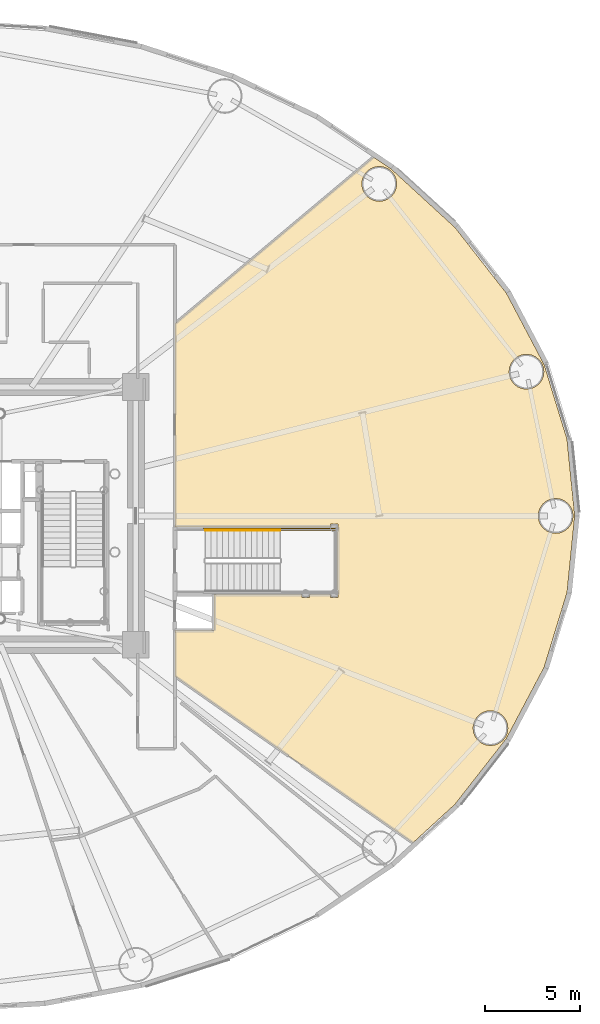
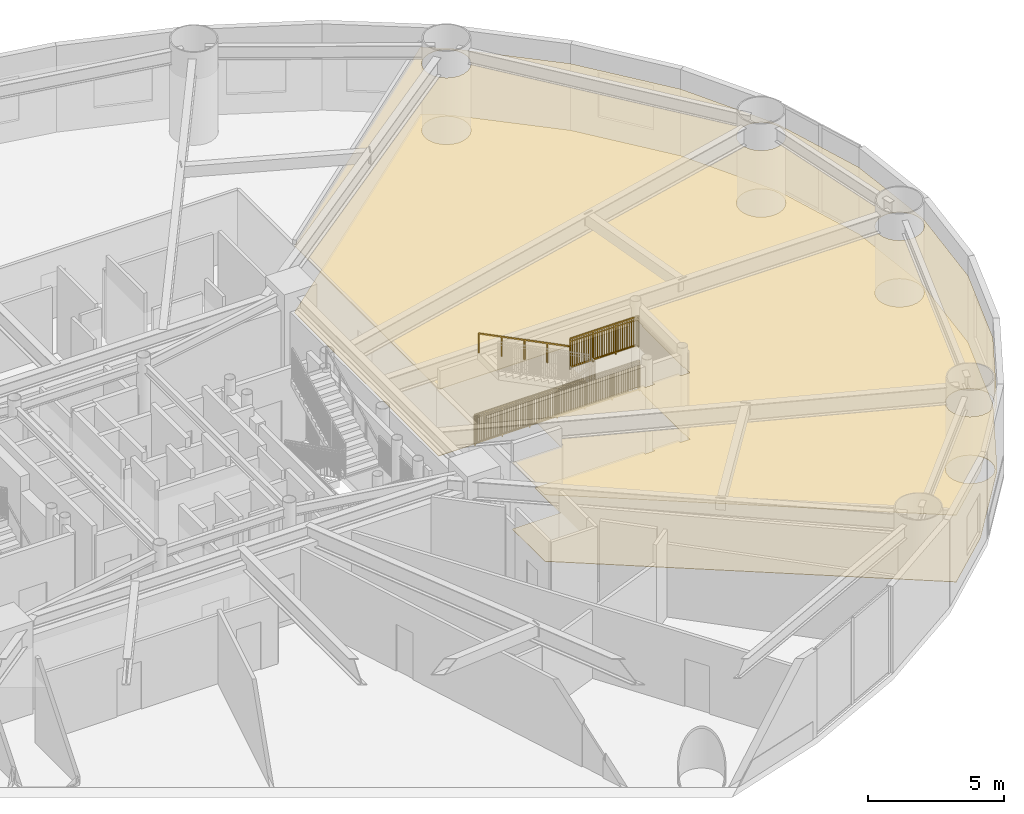
# One storey, part 30 of 31: 3 railings, 2 coverings.
"""IFC4 building model written with IfcOpenShell, lengths in metres."""

from ifc_helpers import new_model, si_unit, direction, frame, origin, origin_2d, place, context, subcontext, project, spatial, polyline, rectangle, outline, extrude, source, transform, mapped, material, layer, layer_set, type_object, element, save


model = new_model("IFC4")

# Units and contexts
model_context = context("Model", 3, precision=1e-05, world=origin(), true_north=direction((0.0, 1.0)))
body_context = subcontext(model_context, "Body", "Model", "MODEL_VIEW")
ifc_project = project(units=[si_unit("LENGTHUNIT", "METRE"), si_unit("AREAUNIT", "SQUARE_METRE"), si_unit("VOLUMEUNIT", "CUBIC_METRE"), si_unit("PLANEANGLEUNIT", "RADIAN"), si_unit("MASSUNIT", "GRAM", prefix="KILO")], contexts=[model_context])

# Site, building, storey
site_placement = place(None, origin())
site = spatial("IfcSite", under=ifc_project, at=site_placement, CompositionType="ELEMENT")
building_placement = place(site_placement, origin())
building = spatial("IfcBuilding", under=site, at=building_placement, Name="Linh Dai School and Residence Tower", CompositionType="ELEMENT")
storey_placement = place(building_placement, frame((0.0, 0.0, 6.0)))
storey = spatial("IfcBuildingStorey", under=building, at=storey_placement, Name="L01", CompositionType="ELEMENT", Elevation=6.0)

# Coverings
ifc_material_1 = material(Name="Mineral Fibre Acoustic Suspended Ceiling", Category="masonry")
ifc_layer_1 = layer(ifc_material_1, 0.02001953125)
ifc_layer_set_1 = layer_set([ifc_layer_1], Name="Mineral Fibre Acoustic Suspended Ceiling")
covering_type_1 = type_object("IfcCoveringType", Name="COV-CEIL-AC-20", PredefinedType="CEILING", material=ifc_layer_set_1)
covering_1_placement = place(storey_placement, frame((0.0, 0.0, 3.0)))
element("IfcCovering", 1, at=covering_1_placement, inside=storey, type_object=covering_type_1, Name="L01 Primary School Multi-Purpose Assembly Hall Suspended Ceiling", PredefinedType="CEILING", context=body_context, shape_type="SweptSolid", body=[
    extrude(outline(polyline([(62.676025390625, 11.8876953125), (60.470703125, 9.865478515625), (48.0, 18.597412109375), (48.0, 21.0), (50.050048828125, 21.0), (50.050048828125, 22.8798828125), (54.646728515625, 22.8798828125), (54.646728515625, 22.716796875), (55.05322265625, 22.716796875), (55.05322265625, 22.8798828125), (56.146728515625, 22.8798828125), (56.146728515625, 22.716796875), (56.55322265625, 22.716796875), (56.55322265625, 23.123291015625), (56.52001953125, 23.123291015625), (56.52001953125, 26.1767578125), (56.55322265625, 26.1767578125), (56.55322265625, 26.583251953125), (56.146728515625, 26.583251953125), (56.146728515625, 26.419921875), (48.0, 26.419921875), (48.0, 37.069091796875), (58.40576171875, 45.80078125), (59.32177734375, 45.18798828125), (62.676025390625, 42.1123046875), (65.371826171875, 38.66748046875), (67.34423828125, 34.938720703125), (68.546142578125, 31.017578125), (68.949951171875, 27.0), (68.546142578125, 22.982421875), (67.34423828125, 19.061279296875), (65.371826171875, 15.33251953125), (62.676025390625, 11.8876953125)]), holes=[polyline([(68.73974609375, 26.5439453125), (68.830810546875, 26.763916015625), (68.862060546875, 27.0), (68.830810546875, 27.236083984375), (68.73974609375, 27.4560546875), (68.594970703125, 27.64501953125), (68.406005859375, 27.789794921875), (68.18603515625, 27.880859375), (67.949951171875, 27.912109375), (67.714111328125, 27.880859375), (67.493896484375, 27.789794921875), (67.30517578125, 27.64501953125), (67.16015625, 27.4560546875), (67.069091796875, 27.236083984375), (67.0380859375, 27.0), (67.069091796875, 26.763916015625), (67.16015625, 26.5439453125), (67.30517578125, 26.35498046875), (67.493896484375, 26.210205078125), (67.714111328125, 26.119140625), (67.949951171875, 26.087890625), (68.18603515625, 26.119140625), (68.406005859375, 26.210205078125), (68.594970703125, 26.35498046875), (68.73974609375, 26.5439453125)]), polyline([(67.210205078125, 34.099365234375), (67.301513671875, 34.3193359375), (67.33251953125, 34.555419921875), (67.301513671875, 34.79150390625), (67.210205078125, 35.011474609375), (67.0654296875, 35.2001953125), (66.87646484375, 35.34521484375), (66.656494140625, 35.436279296875), (66.42041015625, 35.46728515625), (66.1845703125, 35.436279296875), (65.964599609375, 35.34521484375), (65.775634765625, 35.2001953125), (65.630615234375, 35.011474609375), (65.53955078125, 34.79150390625), (65.508544921875, 34.555419921875), (65.53955078125, 34.3193359375), (65.630615234375, 34.099365234375), (65.775634765625, 33.910400390625), (65.964599609375, 33.765625), (66.1845703125, 33.674560546875), (66.42041015625, 33.643310546875), (66.656494140625, 33.674560546875), (66.87646484375, 33.765625), (67.0654296875, 33.910400390625), (67.210205078125, 34.099365234375)]), polyline([(65.323486328125, 15.421875), (65.41455078125, 15.641845703125), (65.44580078125, 15.8779296875), (65.41455078125, 16.114013671875), (65.323486328125, 16.333984375), (65.178466796875, 16.522705078125), (64.98974609375, 16.667724609375), (64.769775390625, 16.7587890625), (64.53369140625, 16.789794921875), (64.297607421875, 16.7587890625), (64.07763671875, 16.667724609375), (63.888916015625, 16.522705078125), (63.743896484375, 16.333984375), (63.652587890625, 16.114013671875), (63.62158203125, 15.8779296875), (63.652587890625, 15.641845703125), (63.743896484375, 15.421875), (63.888916015625, 15.233154296875), (64.07763671875, 15.088134765625), (64.297607421875, 14.9970703125), (64.53369140625, 14.9658203125), (64.769775390625, 14.9970703125), (64.98974609375, 15.088134765625), (65.178466796875, 15.233154296875), (65.323486328125, 15.421875)]), polyline([(59.4951171875, 43.944580078125), (59.586181640625, 44.16455078125), (59.6171875, 44.400634765625), (59.586181640625, 44.63671875), (59.4951171875, 44.856689453125), (59.35009765625, 45.04541015625), (59.1611328125, 45.1904296875), (58.94140625, 45.281494140625), (58.705078125, 45.3125), (58.46923828125, 45.281494140625), (58.249267578125, 45.1904296875), (58.060302734375, 45.04541015625), (57.915283203125, 44.856689453125), (57.82421875, 44.63671875), (57.793212890625, 44.400634765625), (57.82421875, 44.16455078125), (57.915283203125, 43.944580078125), (58.060302734375, 43.755859375), (58.249267578125, 43.61083984375), (58.46923828125, 43.519775390625), (58.705078125, 43.488525390625), (58.94140625, 43.519775390625), (59.1611328125, 43.61083984375), (59.35009765625, 43.755859375), (59.4951171875, 43.944580078125)])]), origin(), (0.0, 0.0, 1.0), 0.02001953125),
])
ifc_material_2 = material(Name="Polished Terrazzo Floor Finish", Category="masonry")
ifc_layer_2 = layer(ifc_material_2, 0.02490234375)
ifc_layer_set_2 = layer_set([ifc_layer_2], Name="Polished Terrazzo Floor Finish")
covering_type_2 = type_object("IfcCoveringType", Name="COV-FLR-TRZ-25", PredefinedType="FLOORING", material=ifc_layer_set_2)
covering_2_placement = place(storey_placement, origin())
element("IfcCovering", 2, at=covering_2_placement, inside=storey, type_object=covering_type_2, Name="L01 Primary School Multi-Purpose Assembly Hall Floor Finish", PredefinedType="FLOORING", context=body_context, shape_type="SweptSolid", body=[
    extrude(outline(polyline([(62.676025390625, 11.8876953125), (60.470703125, 9.865478515625), (48.0, 18.597412109375), (48.0, 21.0), (50.050048828125, 21.0), (50.050048828125, 22.8798828125), (54.646728515625, 22.8798828125), (54.646728515625, 22.716796875), (55.05322265625, 22.716796875), (55.05322265625, 22.8798828125), (56.146728515625, 22.8798828125), (56.146728515625, 22.716796875), (56.55322265625, 22.716796875), (56.55322265625, 23.123291015625), (56.52001953125, 23.123291015625), (56.52001953125, 26.1767578125), (56.55322265625, 26.1767578125), (56.55322265625, 26.583251953125), (56.146728515625, 26.583251953125), (56.146728515625, 26.419921875), (48.0, 26.419921875), (48.0, 37.069091796875), (58.40576171875, 45.80078125), (59.32177734375, 45.18798828125), (62.676025390625, 42.1123046875), (65.371826171875, 38.66748046875), (67.34423828125, 34.938720703125), (68.546142578125, 31.017578125), (68.949951171875, 27.0), (68.546142578125, 22.982421875), (67.34423828125, 19.061279296875), (65.371826171875, 15.33251953125), (62.676025390625, 11.8876953125)]), holes=[polyline([(68.73974609375, 26.5439453125), (68.830810546875, 26.763916015625), (68.862060546875, 27.0), (68.830810546875, 27.236083984375), (68.73974609375, 27.4560546875), (68.594970703125, 27.64501953125), (68.406005859375, 27.789794921875), (68.18603515625, 27.880859375), (67.949951171875, 27.912109375), (67.714111328125, 27.880859375), (67.493896484375, 27.789794921875), (67.30517578125, 27.64501953125), (67.16015625, 27.4560546875), (67.069091796875, 27.236083984375), (67.0380859375, 27.0), (67.069091796875, 26.763916015625), (67.16015625, 26.5439453125), (67.30517578125, 26.35498046875), (67.493896484375, 26.210205078125), (67.714111328125, 26.119140625), (67.949951171875, 26.087890625), (68.18603515625, 26.119140625), (68.406005859375, 26.210205078125), (68.594970703125, 26.35498046875), (68.73974609375, 26.5439453125)]), polyline([(67.210205078125, 34.099365234375), (67.301513671875, 34.3193359375), (67.33251953125, 34.555419921875), (67.301513671875, 34.79150390625), (67.210205078125, 35.011474609375), (67.0654296875, 35.2001953125), (66.87646484375, 35.34521484375), (66.656494140625, 35.436279296875), (66.42041015625, 35.46728515625), (66.1845703125, 35.436279296875), (65.964599609375, 35.34521484375), (65.775634765625, 35.2001953125), (65.630615234375, 35.011474609375), (65.53955078125, 34.79150390625), (65.508544921875, 34.555419921875), (65.53955078125, 34.3193359375), (65.630615234375, 34.099365234375), (65.775634765625, 33.910400390625), (65.964599609375, 33.765625), (66.1845703125, 33.674560546875), (66.42041015625, 33.643310546875), (66.656494140625, 33.674560546875), (66.87646484375, 33.765625), (67.0654296875, 33.910400390625), (67.210205078125, 34.099365234375)]), polyline([(65.323486328125, 15.421875), (65.41455078125, 15.641845703125), (65.44580078125, 15.8779296875), (65.41455078125, 16.114013671875), (65.323486328125, 16.333984375), (65.178466796875, 16.522705078125), (64.98974609375, 16.667724609375), (64.769775390625, 16.7587890625), (64.53369140625, 16.789794921875), (64.297607421875, 16.7587890625), (64.07763671875, 16.667724609375), (63.888916015625, 16.522705078125), (63.743896484375, 16.333984375), (63.652587890625, 16.114013671875), (63.62158203125, 15.8779296875), (63.652587890625, 15.641845703125), (63.743896484375, 15.421875), (63.888916015625, 15.233154296875), (64.07763671875, 15.088134765625), (64.297607421875, 14.9970703125), (64.53369140625, 14.9658203125), (64.769775390625, 14.9970703125), (64.98974609375, 15.088134765625), (65.178466796875, 15.233154296875), (65.323486328125, 15.421875)]), polyline([(59.4951171875, 43.944580078125), (59.586181640625, 44.16455078125), (59.6171875, 44.400634765625), (59.586181640625, 44.63671875), (59.4951171875, 44.856689453125), (59.35009765625, 45.04541015625), (59.1611328125, 45.1904296875), (58.94140625, 45.281494140625), (58.705078125, 45.3125), (58.46923828125, 45.281494140625), (58.249267578125, 45.1904296875), (58.060302734375, 45.04541015625), (57.915283203125, 44.856689453125), (57.82421875, 44.63671875), (57.793212890625, 44.400634765625), (57.82421875, 44.16455078125), (57.915283203125, 43.944580078125), (58.060302734375, 43.755859375), (58.249267578125, 43.61083984375), (58.46923828125, 43.519775390625), (58.705078125, 43.488525390625), (58.94140625, 43.519775390625), (59.1611328125, 43.61083984375), (59.35009765625, 43.755859375), (59.4951171875, 43.944580078125)])]), origin(), (0.0, 0.0, 1.0), 0.02001953125),
])

# Railings
ifc_material_3 = material(Name="Brushed Stainless Steel Handrail", Category="steel")
railing_type_1 = type_object("IfcRailingType", Name="RL-ST-HANDRAIL-900", PredefinedType="HANDRAIL", material=ifc_material_3)
shared_shape_1 = source(origin(), body_context, "Body", "SweptSolid", [
    extrude(rectangle(XDim=0.048095703125, YDim=0.048095703125, at=origin_2d()), frame((0.0, 0.0, 0.8759765625), z_axis=(-0.894427191, 0.0, 0.4472135955), x_axis=(0.0, -1.0, 0.0)), (0.0, 0.0, 1.0), 4.360107421875),
    extrude(rectangle(XDim=0.0419921875, YDim=0.0419921875, at=origin_2d()), origin(), (0.0, 0.0, 1.0), 0.8759765625),
    extrude(rectangle(XDim=0.0419921875, YDim=0.0419921875, at=origin_2d()), frame((-0.97509765625, 0.0, 0.487548828125)), (0.0, 0.0, 1.0), 0.8759765625),
    extrude(rectangle(XDim=0.0419921875, YDim=0.0419921875, at=origin_2d()), frame((-1.949951171875, 0.0, 0.97509765625)), (0.0, 0.0, 1.0), 0.8759765625),
    extrude(rectangle(XDim=0.0419921875, YDim=0.0419921875, at=origin_2d()), frame((-2.9248046875, 0.0, 1.46240234375)), (0.0, 0.0, 1.0), 0.8759765625),
    extrude(rectangle(XDim=0.0419921875, YDim=0.0419921875, at=origin_2d()), frame((-3.89990234375, 0.0, 1.949951171875)), (0.0, 0.0, 1.0), 0.8759765625),
])
railing_1_placement = place(storey_placement, frame((53.5, 26.25, 2.25)))
element("IfcRailing", 3, at=railing_1_placement, inside=storey, type_object=railing_type_1, Name="L01 STS2 stair handrail 2", PredefinedType="HANDRAIL", context=body_context, shape_type="MappedRepresentation", body=[
    mapped(shared_shape_1, transform((0.0, 0.0, 0.0), x_axis=(1.0, 0.0, 0.0), y_axis=(0.0, 1.0, 0.0), z_axis=(0.0, 0.0, 1.0), scale=1.0)),
])
ifc_material_4 = material(Name="Structural Steel S355JR", Category="steel")
railing_type_2 = type_object("IfcRailingType", Name="RL-ST-GUARD-1400", PredefinedType="GUARDRAIL", material=ifc_material_4)
shared_shape_2 = source(origin(), body_context, "Body", "SweptSolid", [
    extrude(rectangle(XDim=0.048095703125, YDim=0.048095703125, at=origin_2d()), frame((0.0, 0.0, 1.3759765625), z_axis=(1.0, 0.0, 0.0), x_axis=(0.0, 1.0, 0.0)), (0.0, 0.0, 1.0), 2.89990234375),
    extrude(rectangle(XDim=0.048095703125, YDim=0.048095703125, at=origin_2d()), frame((0.0, 0.0, 0.10009765625), z_axis=(1.0, 0.0, 0.0), x_axis=(0.0, 1.0, 0.0)), (0.0, 0.0, 1.0), 2.89990234375),
    extrude(rectangle(XDim=0.030029296875, YDim=0.030029296875, at=origin_2d()), frame((0.0, 0.0, 1.239990234375), z_axis=(1.0, 0.0, 0.0), x_axis=(0.0, 1.0, 0.0)), (0.0, 0.0, 1.0), 2.89990234375),
    extrude(rectangle(XDim=0.02001953125, YDim=0.02001953125, at=origin_2d()), frame((0.0966796875, 0.0, 0.10009765625)), (0.0, 0.0, 1.0), 1.251708984375),
    extrude(rectangle(XDim=0.02001953125, YDim=0.02001953125, at=origin_2d()), frame((0.193359375, 0.0, 0.10009765625)), (0.0, 0.0, 1.0), 1.251708984375),
    extrude(rectangle(XDim=0.02001953125, YDim=0.02001953125, at=origin_2d()), frame((0.2900390625, 0.0, 0.10009765625)), (0.0, 0.0, 1.0), 1.251708984375),
    extrude(rectangle(XDim=0.02001953125, YDim=0.02001953125, at=origin_2d()), frame((0.38671875, 0.0, 0.10009765625)), (0.0, 0.0, 1.0), 1.251708984375),
    extrude(rectangle(XDim=0.02001953125, YDim=0.02001953125, at=origin_2d()), frame((0.4833984375, 0.0, 0.10009765625)), (0.0, 0.0, 1.0), 1.251708984375),
    extrude(rectangle(XDim=0.02001953125, YDim=0.02001953125, at=origin_2d()), frame((0.580078125, 0.0, 0.10009765625)), (0.0, 0.0, 1.0), 1.251708984375),
    extrude(rectangle(XDim=0.02001953125, YDim=0.02001953125, at=origin_2d()), frame((0.6767578125, 0.0, 0.10009765625)), (0.0, 0.0, 1.0), 1.251708984375),
    extrude(rectangle(XDim=0.02001953125, YDim=0.02001953125, at=origin_2d()), frame((0.773193359375, 0.0, 0.10009765625)), (0.0, 0.0, 1.0), 1.251708984375),
    extrude(rectangle(XDim=0.02001953125, YDim=0.02001953125, at=origin_2d()), frame((0.869873046875, 0.0, 0.10009765625)), (0.0, 0.0, 1.0), 1.251708984375),
    extrude(rectangle(XDim=0.02001953125, YDim=0.02001953125, at=origin_2d()), frame((1.063232421875, 0.0, 0.10009765625)), (0.0, 0.0, 1.0), 1.251708984375),
    extrude(rectangle(XDim=0.02001953125, YDim=0.02001953125, at=origin_2d()), frame((1.159912109375, 0.0, 0.10009765625)), (0.0, 0.0, 1.0), 1.251708984375),
    extrude(rectangle(XDim=0.02001953125, YDim=0.02001953125, at=origin_2d()), frame((1.256591796875, 0.0, 0.10009765625)), (0.0, 0.0, 1.0), 1.251708984375),
    extrude(rectangle(XDim=0.02001953125, YDim=0.02001953125, at=origin_2d()), frame((1.353271484375, 0.0, 0.10009765625)), (0.0, 0.0, 1.0), 1.251708984375),
    extrude(rectangle(XDim=0.02001953125, YDim=0.02001953125, at=origin_2d()), frame((1.449951171875, 0.0, 0.10009765625)), (0.0, 0.0, 1.0), 1.251708984375),
    extrude(rectangle(XDim=0.02001953125, YDim=0.02001953125, at=origin_2d()), frame((1.546630859375, 0.0, 0.10009765625)), (0.0, 0.0, 1.0), 1.251708984375),
    extrude(rectangle(XDim=0.02001953125, YDim=0.02001953125, at=origin_2d()), frame((1.643310546875, 0.0, 0.10009765625)), (0.0, 0.0, 1.0), 1.251708984375),
    extrude(rectangle(XDim=0.02001953125, YDim=0.02001953125, at=origin_2d()), frame((1.739990234375, 0.0, 0.10009765625)), (0.0, 0.0, 1.0), 1.251708984375),
    extrude(rectangle(XDim=0.02001953125, YDim=0.02001953125, at=origin_2d()), frame((1.836669921875, 0.0, 0.10009765625)), (0.0, 0.0, 1.0), 1.251708984375),
    extrude(rectangle(XDim=0.02001953125, YDim=0.02001953125, at=origin_2d()), frame((2.030029296875, 0.0, 0.10009765625)), (0.0, 0.0, 1.0), 1.251708984375),
    extrude(rectangle(XDim=0.02001953125, YDim=0.02001953125, at=origin_2d()), frame((2.126708984375, 0.0, 0.10009765625)), (0.0, 0.0, 1.0), 1.251708984375),
    extrude(rectangle(XDim=0.02001953125, YDim=0.02001953125, at=origin_2d()), frame((2.22314453125, 0.0, 0.10009765625)), (0.0, 0.0, 1.0), 1.251708984375),
    extrude(rectangle(XDim=0.02001953125, YDim=0.02001953125, at=origin_2d()), frame((2.31982421875, 0.0, 0.10009765625)), (0.0, 0.0, 1.0), 1.251708984375),
    extrude(rectangle(XDim=0.02001953125, YDim=0.02001953125, at=origin_2d()), frame((2.41650390625, 0.0, 0.10009765625)), (0.0, 0.0, 1.0), 1.251708984375),
    extrude(rectangle(XDim=0.02001953125, YDim=0.02001953125, at=origin_2d()), frame((2.51318359375, 0.0, 0.10009765625)), (0.0, 0.0, 1.0), 1.251708984375),
    extrude(rectangle(XDim=0.02001953125, YDim=0.02001953125, at=origin_2d()), frame((2.60986328125, 0.0, 0.10009765625)), (0.0, 0.0, 1.0), 1.251708984375),
    extrude(rectangle(XDim=0.02001953125, YDim=0.02001953125, at=origin_2d()), frame((2.70654296875, 0.0, 0.10009765625)), (0.0, 0.0, 1.0), 1.251708984375),
    extrude(rectangle(XDim=0.02001953125, YDim=0.02001953125, at=origin_2d()), frame((2.80322265625, 0.0, 0.10009765625)), (0.0, 0.0, 1.0), 1.251708984375),
    extrude(rectangle(XDim=0.0419921875, YDim=0.0419921875, at=origin_2d()), origin(), (0.0, 0.0, 1.0), 1.3759765625),
    extrude(rectangle(XDim=0.0419921875, YDim=0.0419921875, at=origin_2d()), frame((0.966552734375, 0.0, 0.0)), (0.0, 0.0, 1.0), 1.3759765625),
    extrude(rectangle(XDim=0.0419921875, YDim=0.0419921875, at=origin_2d()), frame((1.933349609375, 0.0, 0.0)), (0.0, 0.0, 1.0), 1.3759765625),
    extrude(rectangle(XDim=0.0419921875, YDim=0.0419921875, at=origin_2d()), frame((2.89990234375, 0.0, 0.0)), (0.0, 0.0, 1.0), 1.3759765625),
])
railing_2_placement = place(storey_placement, frame((53.5, 26.25, 2.10009765625)))
element("IfcRailing", 4, at=railing_2_placement, inside=storey, type_object=railing_type_2, Name="L01 STS2 stair guard 4", PredefinedType="GUARDRAIL", context=body_context, shape_type="MappedRepresentation", body=[
    mapped(shared_shape_2, transform((0.0, 0.0, 0.0), x_axis=(1.0, 0.0, 0.0), y_axis=(0.0, 1.0, 0.0), z_axis=(0.0, 0.0, 1.0), scale=1.0)),
])
shared_shape_3 = source(origin(), body_context, "Body", "SweptSolid", [
    extrude(rectangle(XDim=0.048095703125, YDim=0.048095703125, at=origin_2d()), frame((0.0, 0.0, 1.3759765625), z_axis=(1.0, 0.0, 0.0), x_axis=(0.0, 1.0, 0.0)), (0.0, 0.0, 1.0), 7.0),
    extrude(rectangle(XDim=0.048095703125, YDim=0.048095703125, at=origin_2d()), frame((0.0, 0.0, 0.10009765625), z_axis=(1.0, 0.0, 0.0), x_axis=(0.0, 1.0, 0.0)), (0.0, 0.0, 1.0), 7.0),
    extrude(rectangle(XDim=0.030029296875, YDim=0.030029296875, at=origin_2d()), frame((0.0, 0.0, 1.239990234375), z_axis=(1.0, 0.0, 0.0), x_axis=(0.0, 1.0, 0.0)), (0.0, 0.0, 1.0), 7.0),
    extrude(rectangle(XDim=0.02001953125, YDim=0.02001953125, at=origin_2d()), frame((0.09716796875, 0.0, 0.10009765625)), (0.0, 0.0, 1.0), 1.251708984375),
    extrude(rectangle(XDim=0.02001953125, YDim=0.02001953125, at=origin_2d()), frame((0.1943359375, 0.0, 0.10009765625)), (0.0, 0.0, 1.0), 1.251708984375),
    extrude(rectangle(XDim=0.02001953125, YDim=0.02001953125, at=origin_2d()), frame((0.291748046875, 0.0, 0.10009765625)), (0.0, 0.0, 1.0), 1.251708984375),
    extrude(rectangle(XDim=0.02001953125, YDim=0.02001953125, at=origin_2d()), frame((0.388916015625, 0.0, 0.10009765625)), (0.0, 0.0, 1.0), 1.251708984375),
    extrude(rectangle(XDim=0.02001953125, YDim=0.02001953125, at=origin_2d()), frame((0.486083984375, 0.0, 0.10009765625)), (0.0, 0.0, 1.0), 1.251708984375),
    extrude(rectangle(XDim=0.02001953125, YDim=0.02001953125, at=origin_2d()), frame((0.583251953125, 0.0, 0.10009765625)), (0.0, 0.0, 1.0), 1.251708984375),
    extrude(rectangle(XDim=0.02001953125, YDim=0.02001953125, at=origin_2d()), frame((0.6806640625, 0.0, 0.10009765625)), (0.0, 0.0, 1.0), 1.251708984375),
    extrude(rectangle(XDim=0.02001953125, YDim=0.02001953125, at=origin_2d()), frame((0.77783203125, 0.0, 0.10009765625)), (0.0, 0.0, 1.0), 1.251708984375),
    extrude(rectangle(XDim=0.02001953125, YDim=0.02001953125, at=origin_2d()), frame((0.875, 0.0, 0.10009765625)), (0.0, 0.0, 1.0), 1.251708984375),
    extrude(rectangle(XDim=0.02001953125, YDim=0.02001953125, at=origin_2d()), frame((0.97216796875, 0.0, 0.10009765625)), (0.0, 0.0, 1.0), 1.251708984375),
    extrude(rectangle(XDim=0.02001953125, YDim=0.02001953125, at=origin_2d()), frame((1.0693359375, 0.0, 0.10009765625)), (0.0, 0.0, 1.0), 1.251708984375),
    extrude(rectangle(XDim=0.02001953125, YDim=0.02001953125, at=origin_2d()), frame((1.263916015625, 0.0, 0.10009765625)), (0.0, 0.0, 1.0), 1.251708984375),
    extrude(rectangle(XDim=0.02001953125, YDim=0.02001953125, at=origin_2d()), frame((1.361083984375, 0.0, 0.10009765625)), (0.0, 0.0, 1.0), 1.251708984375),
    extrude(rectangle(XDim=0.02001953125, YDim=0.02001953125, at=origin_2d()), frame((1.458251953125, 0.0, 0.10009765625)), (0.0, 0.0, 1.0), 1.251708984375),
    extrude(rectangle(XDim=0.02001953125, YDim=0.02001953125, at=origin_2d()), frame((1.5556640625, 0.0, 0.10009765625)), (0.0, 0.0, 1.0), 1.251708984375),
    extrude(rectangle(XDim=0.02001953125, YDim=0.02001953125, at=origin_2d()), frame((1.65283203125, 0.0, 0.10009765625)), (0.0, 0.0, 1.0), 1.251708984375),
    extrude(rectangle(XDim=0.02001953125, YDim=0.02001953125, at=origin_2d()), frame((1.75, 0.0, 0.10009765625)), (0.0, 0.0, 1.0), 1.251708984375),
    extrude(rectangle(XDim=0.02001953125, YDim=0.02001953125, at=origin_2d()), frame((1.84716796875, 0.0, 0.10009765625)), (0.0, 0.0, 1.0), 1.251708984375),
    extrude(rectangle(XDim=0.02001953125, YDim=0.02001953125, at=origin_2d()), frame((1.9443359375, 0.0, 0.10009765625)), (0.0, 0.0, 1.0), 1.251708984375),
    extrude(rectangle(XDim=0.02001953125, YDim=0.02001953125, at=origin_2d()), frame((2.041748046875, 0.0, 0.10009765625)), (0.0, 0.0, 1.0), 1.251708984375),
    extrude(rectangle(XDim=0.02001953125, YDim=0.02001953125, at=origin_2d()), frame((2.138916015625, 0.0, 0.10009765625)), (0.0, 0.0, 1.0), 1.251708984375),
    extrude(rectangle(XDim=0.02001953125, YDim=0.02001953125, at=origin_2d()), frame((2.236083984375, 0.0, 0.10009765625)), (0.0, 0.0, 1.0), 1.251708984375),
    extrude(rectangle(XDim=0.02001953125, YDim=0.02001953125, at=origin_2d()), frame((2.4306640625, 0.0, 0.10009765625)), (0.0, 0.0, 1.0), 1.251708984375),
    extrude(rectangle(XDim=0.02001953125, YDim=0.02001953125, at=origin_2d()), frame((2.52783203125, 0.0, 0.10009765625)), (0.0, 0.0, 1.0), 1.251708984375),
    extrude(rectangle(XDim=0.02001953125, YDim=0.02001953125, at=origin_2d()), frame((2.625, 0.0, 0.10009765625)), (0.0, 0.0, 1.0), 1.251708984375),
    extrude(rectangle(XDim=0.02001953125, YDim=0.02001953125, at=origin_2d()), frame((2.72216796875, 0.0, 0.10009765625)), (0.0, 0.0, 1.0), 1.251708984375),
    extrude(rectangle(XDim=0.02001953125, YDim=0.02001953125, at=origin_2d()), frame((2.8193359375, 0.0, 0.10009765625)), (0.0, 0.0, 1.0), 1.251708984375),
    extrude(rectangle(XDim=0.02001953125, YDim=0.02001953125, at=origin_2d()), frame((2.916748046875, 0.0, 0.10009765625)), (0.0, 0.0, 1.0), 1.251708984375),
    extrude(rectangle(XDim=0.02001953125, YDim=0.02001953125, at=origin_2d()), frame((3.013916015625, 0.0, 0.10009765625)), (0.0, 0.0, 1.0), 1.251708984375),
    extrude(rectangle(XDim=0.02001953125, YDim=0.02001953125, at=origin_2d()), frame((3.111083984375, 0.0, 0.10009765625)), (0.0, 0.0, 1.0), 1.251708984375),
    extrude(rectangle(XDim=0.02001953125, YDim=0.02001953125, at=origin_2d()), frame((3.208251953125, 0.0, 0.10009765625)), (0.0, 0.0, 1.0), 1.251708984375),
    extrude(rectangle(XDim=0.02001953125, YDim=0.02001953125, at=origin_2d()), frame((3.3056640625, 0.0, 0.10009765625)), (0.0, 0.0, 1.0), 1.251708984375),
    extrude(rectangle(XDim=0.02001953125, YDim=0.02001953125, at=origin_2d()), frame((3.40283203125, 0.0, 0.10009765625)), (0.0, 0.0, 1.0), 1.251708984375),
    extrude(rectangle(XDim=0.02001953125, YDim=0.02001953125, at=origin_2d()), frame((3.59716796875, 0.0, 0.10009765625)), (0.0, 0.0, 1.0), 1.251708984375),
    extrude(rectangle(XDim=0.02001953125, YDim=0.02001953125, at=origin_2d()), frame((3.6943359375, 0.0, 0.10009765625)), (0.0, 0.0, 1.0), 1.251708984375),
    extrude(rectangle(XDim=0.02001953125, YDim=0.02001953125, at=origin_2d()), frame((3.791748046875, 0.0, 0.10009765625)), (0.0, 0.0, 1.0), 1.251708984375),
    extrude(rectangle(XDim=0.02001953125, YDim=0.02001953125, at=origin_2d()), frame((3.888916015625, 0.0, 0.10009765625)), (0.0, 0.0, 1.0), 1.251708984375),
    extrude(rectangle(XDim=0.02001953125, YDim=0.02001953125, at=origin_2d()), frame((3.986083984375, 0.0, 0.10009765625)), (0.0, 0.0, 1.0), 1.251708984375),
    extrude(rectangle(XDim=0.02001953125, YDim=0.02001953125, at=origin_2d()), frame((4.083251953125, 0.0, 0.10009765625)), (0.0, 0.0, 1.0), 1.251708984375),
    extrude(rectangle(XDim=0.02001953125, YDim=0.02001953125, at=origin_2d()), frame((4.1806640625, 0.0, 0.10009765625)), (0.0, 0.0, 1.0), 1.251708984375),
    extrude(rectangle(XDim=0.02001953125, YDim=0.02001953125, at=origin_2d()), frame((4.27783203125, 0.0, 0.10009765625)), (0.0, 0.0, 1.0), 1.251708984375),
    extrude(rectangle(XDim=0.02001953125, YDim=0.02001953125, at=origin_2d()), frame((4.375, 0.0, 0.10009765625)), (0.0, 0.0, 1.0), 1.251708984375),
    extrude(rectangle(XDim=0.02001953125, YDim=0.02001953125, at=origin_2d()), frame((4.47216796875, 0.0, 0.10009765625)), (0.0, 0.0, 1.0), 1.251708984375),
    extrude(rectangle(XDim=0.02001953125, YDim=0.02001953125, at=origin_2d()), frame((4.5693359375, 0.0, 0.10009765625)), (0.0, 0.0, 1.0), 1.251708984375),
    extrude(rectangle(XDim=0.02001953125, YDim=0.02001953125, at=origin_2d()), frame((4.763916015625, 0.0, 0.10009765625)), (0.0, 0.0, 1.0), 1.251708984375),
    extrude(rectangle(XDim=0.02001953125, YDim=0.02001953125, at=origin_2d()), frame((4.861083984375, 0.0, 0.10009765625)), (0.0, 0.0, 1.0), 1.251708984375),
    extrude(rectangle(XDim=0.02001953125, YDim=0.02001953125, at=origin_2d()), frame((4.958251953125, 0.0, 0.10009765625)), (0.0, 0.0, 1.0), 1.251708984375),
    extrude(rectangle(XDim=0.02001953125, YDim=0.02001953125, at=origin_2d()), frame((5.0556640625, 0.0, 0.10009765625)), (0.0, 0.0, 1.0), 1.251708984375),
    extrude(rectangle(XDim=0.02001953125, YDim=0.02001953125, at=origin_2d()), frame((5.15283203125, 0.0, 0.10009765625)), (0.0, 0.0, 1.0), 1.251708984375),
    extrude(rectangle(XDim=0.02001953125, YDim=0.02001953125, at=origin_2d()), frame((5.25, 0.0, 0.10009765625)), (0.0, 0.0, 1.0), 1.251708984375),
    extrude(rectangle(XDim=0.02001953125, YDim=0.02001953125, at=origin_2d()), frame((5.34716796875, 0.0, 0.10009765625)), (0.0, 0.0, 1.0), 1.251708984375),
    extrude(rectangle(XDim=0.02001953125, YDim=0.02001953125, at=origin_2d()), frame((5.4443359375, 0.0, 0.10009765625)), (0.0, 0.0, 1.0), 1.251708984375),
    extrude(rectangle(XDim=0.02001953125, YDim=0.02001953125, at=origin_2d()), frame((5.541748046875, 0.0, 0.10009765625)), (0.0, 0.0, 1.0), 1.251708984375),
    extrude(rectangle(XDim=0.02001953125, YDim=0.02001953125, at=origin_2d()), frame((5.638916015625, 0.0, 0.10009765625)), (0.0, 0.0, 1.0), 1.251708984375),
    extrude(rectangle(XDim=0.02001953125, YDim=0.02001953125, at=origin_2d()), frame((5.736083984375, 0.0, 0.10009765625)), (0.0, 0.0, 1.0), 1.251708984375),
    extrude(rectangle(XDim=0.02001953125, YDim=0.02001953125, at=origin_2d()), frame((5.9306640625, 0.0, 0.10009765625)), (0.0, 0.0, 1.0), 1.251708984375),
    extrude(rectangle(XDim=0.02001953125, YDim=0.02001953125, at=origin_2d()), frame((6.02783203125, 0.0, 0.10009765625)), (0.0, 0.0, 1.0), 1.251708984375),
    extrude(rectangle(XDim=0.02001953125, YDim=0.02001953125, at=origin_2d()), frame((6.125, 0.0, 0.10009765625)), (0.0, 0.0, 1.0), 1.251708984375),
    extrude(rectangle(XDim=0.02001953125, YDim=0.02001953125, at=origin_2d()), frame((6.22216796875, 0.0, 0.10009765625)), (0.0, 0.0, 1.0), 1.251708984375),
    extrude(rectangle(XDim=0.02001953125, YDim=0.02001953125, at=origin_2d()), frame((6.3193359375, 0.0, 0.10009765625)), (0.0, 0.0, 1.0), 1.251708984375),
    extrude(rectangle(XDim=0.02001953125, YDim=0.02001953125, at=origin_2d()), frame((6.416748046875, 0.0, 0.10009765625)), (0.0, 0.0, 1.0), 1.251708984375),
    extrude(rectangle(XDim=0.02001953125, YDim=0.02001953125, at=origin_2d()), frame((6.513916015625, 0.0, 0.10009765625)), (0.0, 0.0, 1.0), 1.251708984375),
    extrude(rectangle(XDim=0.02001953125, YDim=0.02001953125, at=origin_2d()), frame((6.611083984375, 0.0, 0.10009765625)), (0.0, 0.0, 1.0), 1.251708984375),
    extrude(rectangle(XDim=0.02001953125, YDim=0.02001953125, at=origin_2d()), frame((6.708251953125, 0.0, 0.10009765625)), (0.0, 0.0, 1.0), 1.251708984375),
    extrude(rectangle(XDim=0.02001953125, YDim=0.02001953125, at=origin_2d()), frame((6.8056640625, 0.0, 0.10009765625)), (0.0, 0.0, 1.0), 1.251708984375),
    extrude(rectangle(XDim=0.02001953125, YDim=0.02001953125, at=origin_2d()), frame((6.90283203125, 0.0, 0.10009765625)), (0.0, 0.0, 1.0), 1.251708984375),
    extrude(rectangle(XDim=0.0419921875, YDim=0.0419921875, at=origin_2d()), origin(), (0.0, 0.0, 1.0), 1.3759765625),
    extrude(rectangle(XDim=0.0419921875, YDim=0.0419921875, at=origin_2d()), frame((1.166748046875, 0.0, 0.0)), (0.0, 0.0, 1.0), 1.3759765625),
    extrude(rectangle(XDim=0.0419921875, YDim=0.0419921875, at=origin_2d()), frame((2.333251953125, 0.0, 0.0)), (0.0, 0.0, 1.0), 1.3759765625),
    extrude(rectangle(XDim=0.0419921875, YDim=0.0419921875, at=origin_2d()), frame((3.5, 0.0, 0.0)), (0.0, 0.0, 1.0), 1.3759765625),
    extrude(rectangle(XDim=0.0419921875, YDim=0.0419921875, at=origin_2d()), frame((4.666748046875, 0.0, 0.0)), (0.0, 0.0, 1.0), 1.3759765625),
    extrude(rectangle(XDim=0.0419921875, YDim=0.0419921875, at=origin_2d()), frame((5.833251953125, 0.0, 0.0)), (0.0, 0.0, 1.0), 1.3759765625),
    extrude(rectangle(XDim=0.0419921875, YDim=0.0419921875, at=origin_2d()), frame((7.0, 0.0, 0.0)), (0.0, 0.0, 1.0), 1.3759765625),
])
railing_3_placement = place(storey_placement, frame((49.5, 26.35009765625, 0.0)))
element("IfcRailing", 5, at=railing_3_placement, inside=storey, type_object=railing_type_2, Name="L01 STS2 stair guard 11", PredefinedType="GUARDRAIL", context=body_context, shape_type="MappedRepresentation", body=[
    mapped(shared_shape_3, transform((0.0, 0.0, 0.0), x_axis=(1.0, 0.0, 0.0), y_axis=(0.0, 1.0, 0.0), z_axis=(0.0, 0.0, 1.0), scale=1.0)),
])

save(model, "model.ifc")
